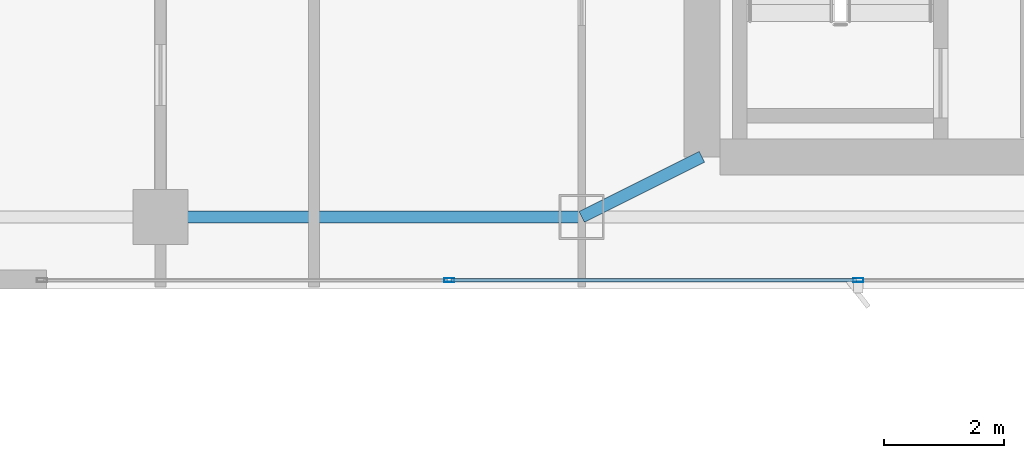
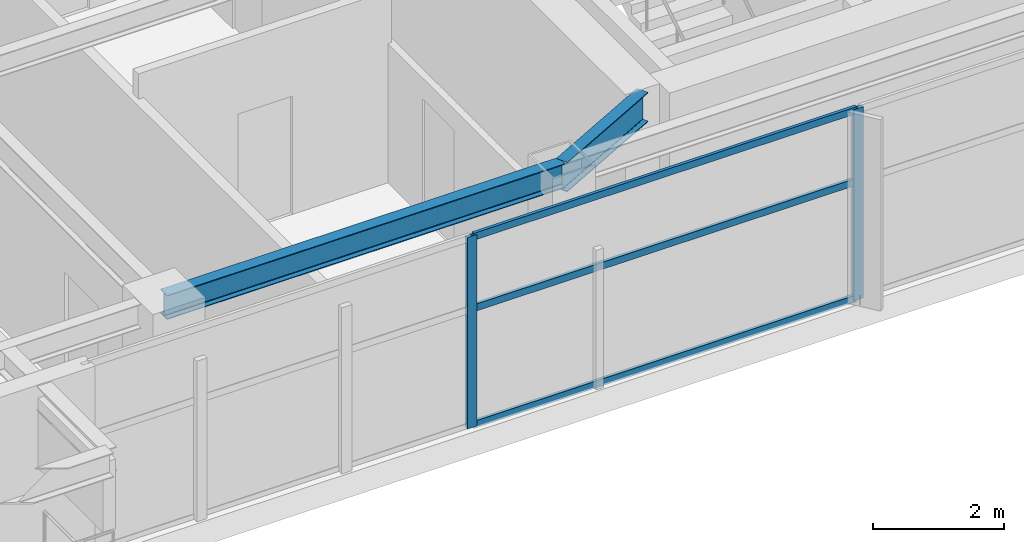
# One storey, part 7 of 27: 5 members, 2 beams, 1 element without a shape of its own.
"""IFC4 building model written with IfcOpenShell, lengths in metres."""

import ifcopenshell
import ifcopenshell.guid

model = None  # the IFC model being written
_history = None  # IfcOwnerHistory: only IFC2X3 demands one
_inside = {}  # id of a spatial element -> (the spatial element, [elements in it])
_under = {}  # id of a project, library or spatial element -> (it, [spatial elements below it])
_declared = {}  # id of a project -> (the project, [libraries it declares])
_typed = {}  # id of a type object -> (the type object, [elements of that type])
_made_of = {}  # id of a material, layer set ... -> (it, [elements and type objects made of it])


def new_model(schema):
    """Start an empty IFC model of exactly this schema.

    Asked for "IFC4X3", IfcOpenShell would pick the latest addendum, in which some entities
    have other attributes; the version numbers below select the first issue.
    IFC2X3 requires an IfcOwnerHistory on every rooted entity: one is made here for all.
    """
    global model, _history
    if schema == "IFC4X3":
        model = ifcopenshell.file(schema_version=(4, 3, 0, 0))
    else:
        model = ifcopenshell.file(schema=schema)
    _inside.clear()
    _under.clear()
    _declared.clear()
    _typed.clear()
    _made_of.clear()
    _history = None
    if model.schema == "IFC2X3":
        org = make("IfcOrganization", Name="unknown")
        user = make(
            "IfcPersonAndOrganization",
            ThePerson=make("IfcPerson", FamilyName="unknown"),
            TheOrganization=org,
        )
        app = make(
            "IfcApplication",
            ApplicationDeveloper=org,
            Version="unknown",
            ApplicationFullName="unknown",
            ApplicationIdentifier="unknown",
        )
        _history = make(
            "IfcOwnerHistory",
            OwningUser=user,
            OwningApplication=app,
            ChangeAction="ADDED",
            CreationDate=0,
        )
    return model


def make(cls, **values):
    """One entity of the class cls with the attributes given. An attribute that is None is left unset."""
    return model.create_entity(
        cls, **{name: value for name, value in values.items() if value is not None}
    )


def rooted(cls, **values):
    """An entity with a GlobalId (a new one), such as an element, a storey or a relation."""
    return make(cls, GlobalId=ifcopenshell.guid.new(), OwnerHistory=_history, **values)


def si_unit(unit_type, name, prefix=None):
    """IfcSIUnit, for example si_unit("LENGTHUNIT", "METRE", prefix="MILLI")."""
    return make("IfcSIUnit", UnitType=unit_type, Prefix=prefix, Name=name)


def assignment(units):
    """IfcUnitAssignment: the units of a project."""
    return None if units is None else make("IfcUnitAssignment", Units=units)


def point(xyz):
    """IfcCartesianPoint."""
    return None if xyz is None else make("IfcCartesianPoint", Coordinates=xyz)


def direction(xyz):
    """IfcDirection."""
    return None if xyz is None else make("IfcDirection", DirectionRatios=xyz)


def frame(location, z_axis=None, x_axis=None):
    """IfcAxis2Placement3D, a coordinate frame: its origin and axes. An axis left out is left unset."""
    return make(
        "IfcAxis2Placement3D",
        Location=point(location),
        Axis=direction(z_axis),
        RefDirection=direction(x_axis),
    )


def frame_2d(location, x_axis=None):
    """IfcAxis2Placement2D, a coordinate frame in the plane: its origin and x axis."""
    return make(
        "IfcAxis2Placement2D", Location=point(location), RefDirection=direction(x_axis)
    )


def origin():
    """The frame at (0, 0, 0) with its axes left unset."""
    return frame((0.0, 0.0, 0.0))


def origin_2d():
    """The frame at (0, 0) in the plane with its x axis left unset."""
    return frame_2d((0.0, 0.0))


def place(relative_to, where):
    """IfcLocalPlacement: puts the frame where relative to a parent placement (None: the world)."""
    return make(
        "IfcLocalPlacement", PlacementRelTo=relative_to, RelativePlacement=where
    )


def context(
    kind, dimensions, precision=None, world=None, true_north=None, identifier=None
):
    """IfcGeometricRepresentationContext, for example the 3D "Model" context."""
    return make(
        "IfcGeometricRepresentationContext",
        ContextIdentifier=identifier,
        ContextType=kind,
        CoordinateSpaceDimension=dimensions,
        Precision=precision,
        WorldCoordinateSystem=world,
        TrueNorth=true_north,
    )


def subcontext(parent, identifier, kind, view, scale=None):
    """IfcGeometricRepresentationSubContext, for example "Body" below "Model"."""
    return make(
        "IfcGeometricRepresentationSubContext",
        ContextIdentifier=identifier,
        ContextType=kind,
        ParentContext=parent,
        TargetScale=scale,
        TargetView=view,
    )


def project(units=None, contexts=None):
    """IfcProject with its units and contexts."""
    return rooted(
        "IfcProject",
        Name="project",
        RepresentationContexts=contexts,
        UnitsInContext=assignment(units),
    )


def spatial(cls, under=None, at=None, **own):
    """A site, building, storey or space (cls), placed at a placement, below another one or the project."""
    s = rooted(cls, ObjectPlacement=at, **own)
    if under is not None:
        _under.setdefault(under.id(), (under, []))[1].append(s)
    return s


def profile(cls, at=None, kind="AREA", **sizes):
    """A parametric profile (cls). Its sizes go by their IFC names, for example OverallWidth=200.0."""
    return make(cls, ProfileType=kind, Position=at, **sizes)


def hollow_rectangle(**sizes):
    """IfcRectangleHollowProfileDef."""
    return profile("IfcRectangleHollowProfileDef", **sizes)


def i_section(**sizes):
    """IfcIShapeProfileDef."""
    return profile("IfcIShapeProfileDef", **sizes)


def extrude(swept, where, along, depth):
    """IfcExtrudedAreaSolid: the profile swept, set in the frame where, extruded along a direction by depth."""
    return make(
        "IfcExtrudedAreaSolid",
        SweptArea=swept,
        Position=where,
        ExtrudedDirection=direction(along),
        Depth=depth,
    )


def shape(context_of_items, identifier, shape_type, items):
    """IfcShapeRepresentation: the items that make up one representation, for example the "Body"."""
    return make(
        "IfcShapeRepresentation",
        ContextOfItems=context_of_items,
        RepresentationIdentifier=identifier,
        RepresentationType=shape_type,
        Items=items,
    )


def material(Name=None, Category=None):
    """IfcMaterial."""
    return make("IfcMaterial", Name=Name, Category=Category)


def layer(
    of_material, thickness, ventilated=None, Name=None, Category=None, Priority=None
):
    """IfcMaterialLayer: one layer of a wall or slab, of a material (None: an air gap)."""
    return make(
        "IfcMaterialLayer",
        Material=of_material,
        LayerThickness=thickness,
        IsVentilated=ventilated,
        Name=Name,
        Category=Category,
        Priority=Priority,
    )


def layer_set(layers, Name=None):
    """IfcMaterialLayerSet."""
    return make("IfcMaterialLayerSet", MaterialLayers=layers, LayerSetName=Name)


def material_profile(
    of_material, cross_section, Name=None, Category=None, Priority=None
):
    """IfcMaterialProfile: a cross section and its material."""
    return make(
        "IfcMaterialProfile",
        Name=Name,
        Material=of_material,
        Profile=cross_section,
        Priority=Priority,
        Category=Category,
    )


def profile_set(profiles, Name=None, composite=None):
    """IfcMaterialProfileSet."""
    return make(
        "IfcMaterialProfileSet",
        Name=Name,
        MaterialProfiles=profiles,
        CompositeProfile=composite,
    )


def made_of(thing, what):
    """Note that an element or type object is made of a material, layer set ...; save() writes the relation."""
    if what is not None:
        _made_of.setdefault(what.id(), (what, []))[1].append(thing)
    return thing


def type_object(cls, material=None, **own):
    """A type object (cls), such as IfcWallType, which elements share."""
    return made_of(rooted(cls, **own), material)


def element(
    cls,
    number,
    at=None,
    inside=None,
    cuts=None,
    type_object=None,
    material=None,
    context=None,
    identifier="Body",
    shape_type=None,
    held_by="IfcProductDefinitionShape",
    body=None,
    shapes=None,
    **own,
):
    """One element of the class cls, such as IfcWall. Its Tag is "e" and its number.

    at: its placement. inside: the storey or other place that contains it. cuts: it is an
    opening in that element (IfcRelVoidsElement). A single representation is given by context,
    identifier, shape_type and body (its items); several are given by shapes. held_by: the class
    of the entity that holds the representations. save() writes the other relations.
    """
    e = rooted(cls, Tag="e%d" % number, ObjectPlacement=at, **own)
    if body is not None:
        shapes = [shape(context, identifier, shape_type, body)]
    if shapes is not None:
        e.Representation = make(held_by, Representations=shapes)
    if inside is not None:
        _inside.setdefault(inside.id(), (inside, []))[1].append(e)
    if cuts is not None:
        rooted(
            "IfcRelVoidsElement", RelatingBuildingElement=cuts, RelatedOpeningElement=e
        )
    if type_object is not None:
        _typed.setdefault(type_object.id(), (type_object, []))[1].append(e)
    return made_of(e, material)


def aggregate(whole, parts):
    """IfcRelAggregates: a whole, such as a stair, and the parts it consists of."""
    return rooted("IfcRelAggregates", RelatingObject=whole, RelatedObjects=parts)


def save(model, path):
    """Write the relations noted so far, then the file.

    IfcRelAggregates (storeys below a building ...), IfcRelContainedInSpatialStructure (elements
    in a storey), IfcRelDefinesByType, IfcRelAssociatesMaterial and IfcRelDeclares: one each for
    every whole, place, type object, material and project.
    """
    for whole, parts in _under.values():
        aggregate(whole, parts)
    for where, things in _inside.values():
        rooted(
            "IfcRelContainedInSpatialStructure",
            RelatedElements=things,
            RelatingStructure=where,
        )
    for kind, things in _typed.values():
        rooted("IfcRelDefinesByType", RelatedObjects=things, RelatingType=kind)
    for what, things in _made_of.values():
        rooted("IfcRelAssociatesMaterial", RelatedObjects=things, RelatingMaterial=what)
    for by, libraries in _declared.values():
        rooted("IfcRelDeclares", RelatingContext=by, RelatedDefinitions=libraries)
    model.write(path)


model = new_model("IFC4")

# Units and contexts
model_context = context("Model", 3, precision=1e-05, world=origin(), true_north=direction((0.0, 1.0)))
body_context = subcontext(model_context, "Body", "Model", "MODEL_VIEW")
ifc_project = project(units=[si_unit("LENGTHUNIT", "METRE"), si_unit("AREAUNIT", "SQUARE_METRE"), si_unit("VOLUMEUNIT", "CUBIC_METRE"), si_unit("PLANEANGLEUNIT", "RADIAN"), si_unit("MASSUNIT", "GRAM", prefix="KILO")], contexts=[model_context])

# Site, building, storey
site_placement = place(None, origin())
site = spatial("IfcSite", under=ifc_project, at=site_placement, CompositionType="ELEMENT")
building_placement = place(site_placement, origin())
building = spatial("IfcBuilding", under=site, at=building_placement, Name="Calvorn Quay Hotel", CompositionType="ELEMENT")
storey_placement = place(building_placement, frame((0.0, 0.0, 287.300048828125)))
storey = spatial("IfcBuildingStorey", under=building, at=storey_placement, Name="L71", CompositionType="ELEMENT", Elevation=287.300048828125)

# Beams
ifc_material_1 = material(Name="Steel Q355B", Category="steel")
ifc_material_profile_1 = material_profile(ifc_material_1, i_section(OverallWidth=0.199951171875, OverallDepth=0.550048828125, WebThickness=0.010009765625, FlangeThickness=0.01611328125, FilletRadius=0.01806640625, at=origin_2d()), Name="HN550x200x10x16")
ifc_profile_set_1 = profile_set([ifc_material_profile_1], Name="Steel Q355B")
beam_type_1 = type_object("IfcBeamType", Name="BM-GIRD-UPP", PredefinedType="BEAM", material=ifc_profile_set_1)
beam_1_placement = place(storey_placement, frame((19.60009765625, 3.60009765625, 3.264892578125), z_axis=(0.894427191, 0.4472135955, 0.0), x_axis=(-0.4472135955, 0.894427191, 0.0)))
element("IfcBeam", 1, at=beam_1_placement, inside=storey, type_object=beam_type_1, Name="Beam BG-L71-S2", PredefinedType="BEAM", context=body_context, shape_type="SweptSolid", body=[
    extrude(i_section(OverallWidth=0.199951171875, OverallDepth=0.550048828125, WebThickness=0.010009765625, FlangeThickness=0.01611328125, FilletRadius=0.01806640625, at=origin_2d()), origin(), (0.0, 0.0, 1.0), 2.236083984375),
])
ifc_material_2 = material(Name="Steel Q355B", Category="steel")
ifc_material_profile_2 = material_profile(ifc_material_2, i_section(OverallWidth=0.199951171875, OverallDepth=0.449951171875, WebThickness=0.009033203125, FlangeThickness=0.013916015625, FilletRadius=0.01611328125, at=origin_2d()), Name="HN450x200x9x14")
ifc_profile_set_2 = profile_set([ifc_material_profile_2], Name="Steel Q355B")
beam_type_2 = type_object("IfcBeamType", Name="BM-SPANDREL-Z3", PredefinedType="SPANDREL", material=ifc_profile_set_2)
beam_2_placement = place(storey_placement, frame((12.60009765625, 3.60009765625, 3.31494140625), z_axis=(1.0, 0.0, 0.0), x_axis=(0.0, 1.0, 0.0)))
element("IfcBeam", 2, at=beam_2_placement, inside=storey, type_object=beam_type_2, Name="Beam BSP-L71-S2", PredefinedType="SPANDREL", context=body_context, shape_type="SweptSolid", body=[
    extrude(i_section(OverallWidth=0.199951171875, OverallDepth=0.449951171875, WebThickness=0.009033203125, FlangeThickness=0.013916015625, FilletRadius=0.01611328125, at=origin_2d()), origin(), (0.0, 0.0, 1.0), 7.0),
])

# Curtain wall, members
ifc_material_3 = material(Name="Champagne Bronze Anodised Aluminium and Low-E Glass", Category="aluminium")
ifc_layer = layer(ifc_material_3, 0.219970703125)
ifc_layer_set = layer_set([ifc_layer], Name="CW-SYS-Z4")
curtain_wall_type = type_object("IfcCurtainWallType", Name="CW-SYS-Z4", PredefinedType="NOTDEFINED", material=ifc_layer_set)
curtain_wall_placement = place(storey_placement, origin())
curtain_wall = element("IfcCurtainWall", 3, at=curtain_wall_placement, inside=storey, type_object=curtain_wall_type, Name="Tower South Waterfront Curtain Wall (L71)", PredefinedType="NOTDEFINED")
ifc_material_4 = material(Name="Champagne Bronze Anodised Aluminium 6063-T6", Category="aluminium")
ifc_material_profile_3 = material_profile(ifc_material_4, hollow_rectangle(XDim=0.06494140625, YDim=0.169921875, WallThickness=0.00341796875, at=origin_2d()), Name="ALU-M170x65x3.5")
ifc_profile_set_3 = profile_set([ifc_material_profile_3], Name="Champagne Bronze Anodised Aluminium 6063-T6")
member_type_1 = type_object("IfcMemberType", Name="CW-SYS-Z4-MUL", PredefinedType="MULLION", material=ifc_profile_set_3)
member_1_placement = place(storey_placement, frame((17.39990234375, 2.550048828125, 0.0), z_axis=(0.0, 0.0, 1.0), x_axis=(0.0, 1.0, 0.0)))
member_1 = element("IfcMember", 4, at=member_1_placement, type_object=member_type_1, Name="CW-L71-S mullion 2", PredefinedType="MULLION", context=body_context, shape_type="SweptSolid", body=[
    extrude(hollow_rectangle(XDim=0.06494140625, YDim=0.169921875, WallThickness=0.00341796875, at=origin_2d()), origin(), (0.0, 0.0, 1.0), 3.56005859375),
])
member_2_placement = place(storey_placement, frame((24.199951171875, 2.550048828125, 0.0), z_axis=(0.0, 0.0, 1.0), x_axis=(0.0, 1.0, 0.0)))
member_2 = element("IfcMember", 5, at=member_2_placement, type_object=member_type_1, Name="CW-L71-S mullion 3", PredefinedType="MULLION", context=body_context, shape_type="SweptSolid", body=[
    extrude(hollow_rectangle(XDim=0.06494140625, YDim=0.169921875, WallThickness=0.00341796875, at=origin_2d()), origin(), (0.0, 0.0, 1.0), 3.56005859375),
])
ifc_material_5 = material(Name="Champagne Bronze Anodised Aluminium 6063-T6", Category="aluminium")
ifc_material_profile_4 = material_profile(ifc_material_5, hollow_rectangle(XDim=0.054931640625, YDim=0.1298828125, WallThickness=0.003173828125, at=origin_2d()), Name="ALU-T130x55x3.2")
ifc_profile_set_4 = profile_set([ifc_material_profile_4], Name="Champagne Bronze Anodised Aluminium 6063-T6")
member_type_2 = type_object("IfcMemberType", Name="CW-SYS-Z4-TRN", PredefinedType="USERDEFINED", material=ifc_profile_set_4)
member_3_placement = place(storey_placement, frame((17.429931640625, 2.550048828125, 0.030029296875), z_axis=(1.0, 0.0, 0.0), x_axis=(0.0, 1.0, 0.0)))
member_3 = element("IfcMember", 6, at=member_3_placement, type_object=member_type_2, Name="CW-L71-S transom 2.1", ObjectType="TRANSOM", PredefinedType="USERDEFINED", context=body_context, shape_type="SweptSolid", body=[
    extrude(hollow_rectangle(XDim=0.054931640625, YDim=0.1298828125, WallThickness=0.003173828125, at=origin_2d()), origin(), (0.0, 0.0, 1.0), 6.739990234375),
])
member_4_placement = place(storey_placement, frame((17.429931640625, 2.550048828125, 2.199951171875), z_axis=(1.0, 0.0, 0.0), x_axis=(0.0, 1.0, 0.0)))
member_4 = element("IfcMember", 7, at=member_4_placement, type_object=member_type_2, Name="CW-L71-S transom 2.2", ObjectType="TRANSOM", PredefinedType="USERDEFINED", context=body_context, shape_type="SweptSolid", body=[
    extrude(hollow_rectangle(XDim=0.054931640625, YDim=0.1298828125, WallThickness=0.003173828125, at=origin_2d()), origin(), (0.0, 0.0, 1.0), 6.739990234375),
])
member_5_placement = place(storey_placement, frame((17.429931640625, 2.550048828125, 3.530029296875), z_axis=(1.0, 0.0, 0.0), x_axis=(0.0, 1.0, 0.0)))
member_5 = element("IfcMember", 8, at=member_5_placement, type_object=member_type_2, Name="CW-L71-S transom 2.3", ObjectType="TRANSOM", PredefinedType="USERDEFINED", context=body_context, shape_type="SweptSolid", body=[
    extrude(hollow_rectangle(XDim=0.054931640625, YDim=0.1298828125, WallThickness=0.003173828125, at=origin_2d()), origin(), (0.0, 0.0, 1.0), 6.739990234375),
])
aggregate(curtain_wall, [member_1, member_2, member_3, member_4, member_5])

save(model, "model.ifc")
